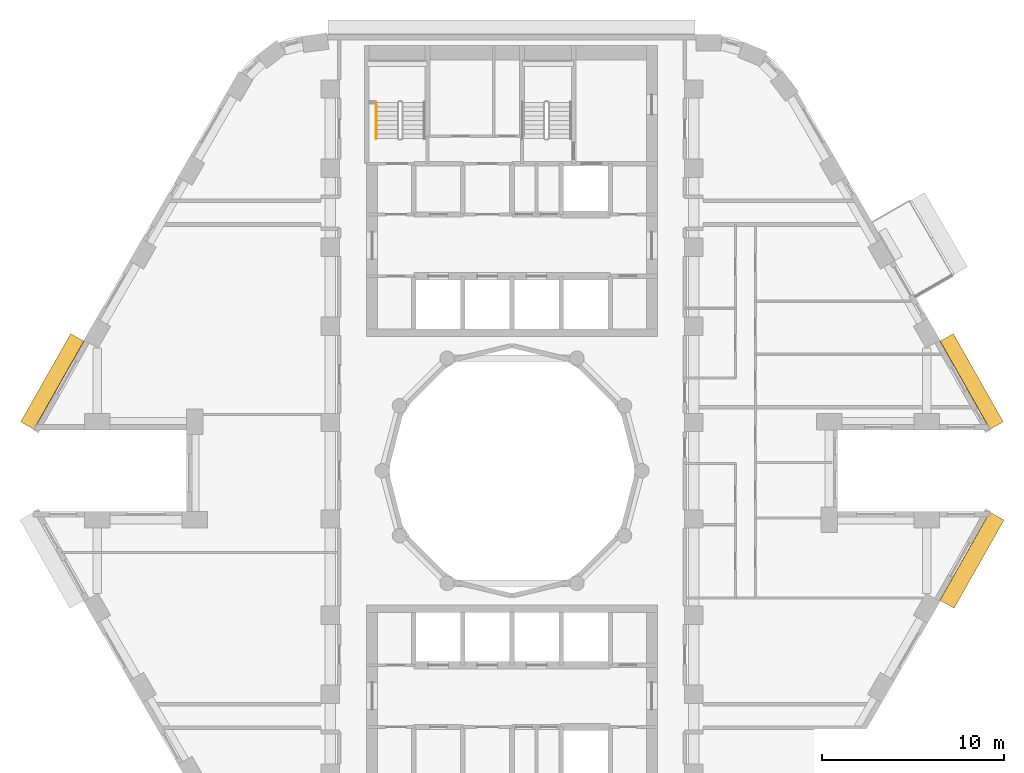
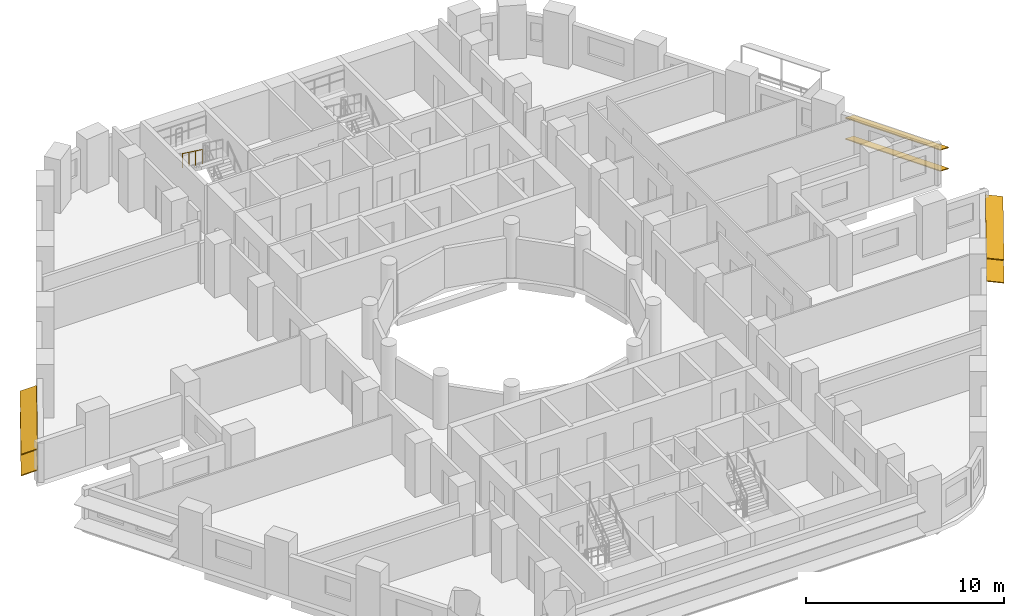
# One storey, part 12 of 13: 6 shading devices, 1 railing.
"""IFC4 building model written with IfcOpenShell, lengths in metres."""

from ifc_helpers import new_model, si_unit, direction, frame, origin, origin_2d, place, context, subcontext, project, spatial, rectangle, circle, extrude, material, material_profile, profile_set, type_object, element, save


model = new_model("IFC4")

# Units and contexts
model_context = context("Model", 3, precision=1e-05, world=origin(), true_north=direction((0.0, 1.0)))
body_context = subcontext(model_context, "Body", "Model", "MODEL_VIEW")
ifc_project = project(units=[si_unit("LENGTHUNIT", "METRE"), si_unit("AREAUNIT", "SQUARE_METRE"), si_unit("VOLUMEUNIT", "CUBIC_METRE"), si_unit("PLANEANGLEUNIT", "RADIAN"), si_unit("MASSUNIT", "GRAM", prefix="KILO")], contexts=[model_context])

# Site, building, storey
site_placement = place(None, origin())
site = spatial("IfcSite", under=ifc_project, at=site_placement, CompositionType="ELEMENT")
building_placement = place(site_placement, origin())
building = spatial("IfcBuilding", under=site, at=building_placement, Name="Nakaniwa Court", CompositionType="ELEMENT")
storey_placement = place(building_placement, frame((0.0, 0.0, 81.0)))
storey = spatial("IfcBuildingStorey", under=building, at=storey_placement, Name="L20", CompositionType="ELEMENT", Elevation=81.0)

# Shading devices
ifc_material_1 = material(Name="Perforated charcoal ceramic louvre blade")
ifc_material_profile = material_profile(ifc_material_1, rectangle(XDim=0.89990234375, YDim=0.050048828125, at=origin_2d()), Name="Perforated ceramic louvre blade")
ifc_profile_set = profile_set([ifc_material_profile], Name="Perforated charcoal ceramic louvre blade")
shading_device_type = type_object("IfcShadingDeviceType", Name="Perforated ceramic louvre blade", PredefinedType="JALOUSIE", material=ifc_profile_set)
for number, where, z_axis, x_axis, name in (
    (1, (106.662353515625, 82.480224609375, 0.550048828125), (-0.492438058427, 0.870347493024, 0.0), (-0.804676322539, -0.455281653718, 0.38107037635), "L20 perforated ceramic louvre blade w02 1"),
    (2, (106.662353515625, 82.480224609375, 1.845458984375), (-0.492438058427, 0.870347493024, 0.0), (-0.804676322539, -0.455281653718, 0.38107037635), "L20 perforated ceramic louvre blade w02 2"),
    (3, (56.083740234375, 87.333740234375, 0.550048828125), (-0.492438058427, -0.870347493024, 0.0), (0.804676322539, -0.455281653718, 0.38107037635), "L20 perforated ceramic louvre blade w14 1"),
    (4, (56.083740234375, 87.333740234375, 1.845458984375), (-0.492438058427, -0.870347493024, 0.0), (0.804676322539, -0.455281653718, 0.38107037635), "L20 perforated ceramic louvre blade w14 2"),
    (5, (103.93701171875, 72.654541015625, 0.550048828125), (0.492438058427, 0.870347493024, 0.0), (-0.862701960504, 0.488112256124, 0.132256390257), "L20 perforated ceramic louvre blade w32 1"),
    (6, (103.93701171875, 72.654541015625, 1.955810546875), (0.492438058427, 0.870347493024, 0.0), (-0.862701960504, 0.488112256124, 0.132256390257), "L20 perforated ceramic louvre blade w32 2"),
):
    element("IfcShadingDevice", number, at=place(storey_placement, frame(where, z_axis=z_axis, x_axis=x_axis)), inside=storey, type_object=shading_device_type, Name=name, PredefinedType="JALOUSIE", context=body_context, shape_type="SweptSolid", body=[
        extrude(rectangle(XDim=0.89990234375, YDim=0.050048828125, at=origin_2d()), origin(), (0.0, 0.0, 1.0), 5.576416015625),
    ])

# Railing
ifc_material_2 = material(Name="Black powder coated steel handrail", Category="steel")
railing_type = type_object("IfcRailingType", Name="Stair handrail 900", PredefinedType="HANDRAIL", material=ifc_material_2)
railing_placement = place(storey_placement, frame((72.52490234375, 100.27490234375, 1.833251953125)))
element("IfcRailing", 7, at=railing_placement, inside=storey, type_object=railing_type, Name="L20 ST1 stair handrail 2", PredefinedType="HANDRAIL", context=body_context, shape_type="SweptSolid", body=[
    extrude(circle(Radius=0.02392578125, at=origin_2d()), frame((0.0, 0.0, 0.8759765625), z_axis=(0.0, -0.806379959628, 0.591397802423), x_axis=(1.0, 0.0, 0.0)), (0.0, 0.0, 1.0), 2.480224609375),
    extrude(circle(Radius=0.02099609375, at=origin_2d()), origin(), (0.0, 0.0, 1.0), 0.851806640625),
    extrude(circle(Radius=0.02099609375, at=origin_2d()), frame((0.0, -0.666748046875, 0.489013671875)), (0.0, 0.0, 1.0), 0.851806640625),
    extrude(circle(Radius=0.02099609375, at=origin_2d()), frame((0.0, -1.333251953125, 0.977783203125)), (0.0, 0.0, 1.0), 0.851806640625),
    extrude(circle(Radius=0.02099609375, at=origin_2d()), frame((0.0, -2.0, 1.466796875)), (0.0, 0.0, 1.0), 0.851806640625),
])

save(model, "model.ifc")
